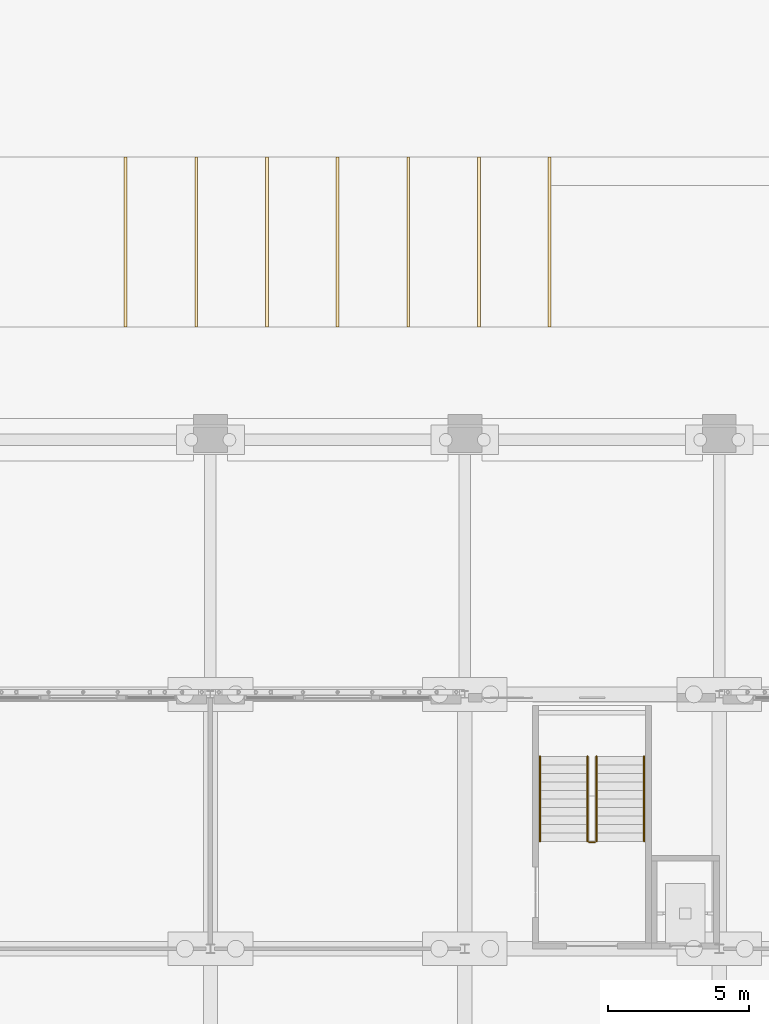
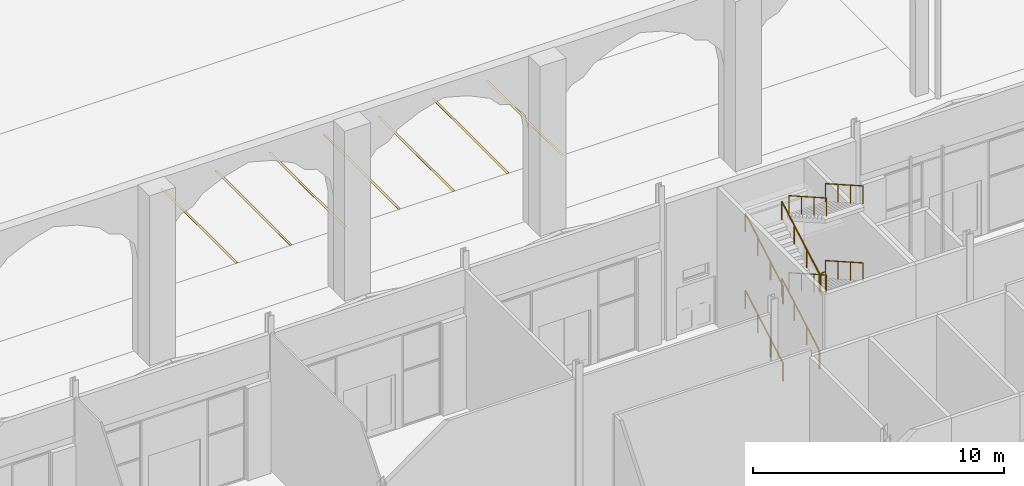
# One storey, part 183 of 250: 9 railings, 7 coverings.
"""IFC4 building model written with IfcOpenShell, lengths in metres."""

from ifc_helpers import new_model, si_unit, direction, frame, origin, origin_2d, place, context, subcontext, project, spatial, polyline, circle, outline, extrude, material, layer, layer_set, type_object, element, save


model = new_model("IFC4")

# Units and contexts
model_context = context("Model", 3, precision=1e-05, world=origin(), true_north=direction((0.0, 1.0)))
body_context = subcontext(model_context, "Body", "Model", "MODEL_VIEW")
ifc_project = project(units=[si_unit("LENGTHUNIT", "METRE"), si_unit("AREAUNIT", "SQUARE_METRE"), si_unit("VOLUMEUNIT", "CUBIC_METRE"), si_unit("PLANEANGLEUNIT", "RADIAN"), si_unit("MASSUNIT", "GRAM", prefix="KILO")], contexts=[model_context])

# Site, building, storey
site_placement = place(None, origin())
site = spatial("IfcSite", under=ifc_project, at=site_placement, CompositionType="ELEMENT")
building_placement = place(site_placement, origin())
building = spatial("IfcBuilding", under=site, at=building_placement, Name="Baradari Gate Terminus", CompositionType="ELEMENT")
storey_placement = place(building_placement, origin())
storey = spatial("IfcBuildingStorey", under=building, at=storey_placement, Name="L00", CompositionType="ELEMENT", Elevation=0.0)

# Coverings
ifc_material_1 = material(Name="Road marking paint, white")
ifc_layer = layer(ifc_material_1, 0.0048828125)
ifc_layer_set = layer_set([ifc_layer], Name="Road marking paint, white")
covering_type = type_object("IfcCoveringType", Name="Bay line RM-1 5", PredefinedType="USERDEFINED", material=ifc_layer_set)
covering_1_placement = place(storey_placement, origin())
element("IfcCovering", 1, at=covering_1_placement, inside=storey, type_object=covering_type, Name="Bay line SD 1", ObjectType="ROAD MARKING", PredefinedType="USERDEFINED", context=body_context, shape_type="SweptSolid", body=[
    extrude(outline(polyline([(104.949951171875, 121.0), (105.050048828125, 121.0), (105.050048828125, 127.0), (104.949951171875, 127.0), (104.949951171875, 121.0)])), origin(), (0.0, 0.0, 1.0), 0.0048828125),
])
covering_2_placement = place(storey_placement, origin())
element("IfcCovering", 2, at=covering_2_placement, inside=storey, type_object=covering_type, Name="Bay line SD 2", ObjectType="ROAD MARKING", PredefinedType="USERDEFINED", context=body_context, shape_type="SweptSolid", body=[
    extrude(outline(polyline([(107.449951171875, 121.0), (107.550048828125, 121.0), (107.550048828125, 127.0), (107.449951171875, 127.0), (107.449951171875, 121.0)])), origin(), (0.0, 0.0, 1.0), 0.0048828125),
])
covering_3_placement = place(storey_placement, origin())
element("IfcCovering", 3, at=covering_3_placement, inside=storey, type_object=covering_type, Name="Bay line SD 3", ObjectType="ROAD MARKING", PredefinedType="USERDEFINED", context=body_context, shape_type="SweptSolid", body=[
    extrude(outline(polyline([(109.949951171875, 121.0), (110.050048828125, 121.0), (110.050048828125, 127.0), (109.949951171875, 127.0), (109.949951171875, 121.0)])), origin(), (0.0, 0.0, 1.0), 0.0048828125),
])
covering_4_placement = place(storey_placement, origin())
element("IfcCovering", 4, at=covering_4_placement, inside=storey, type_object=covering_type, Name="Bay line SD 4", ObjectType="ROAD MARKING", PredefinedType="USERDEFINED", context=body_context, shape_type="SweptSolid", body=[
    extrude(outline(polyline([(112.449951171875, 121.0), (112.550048828125, 121.0), (112.550048828125, 127.0), (112.449951171875, 127.0), (112.449951171875, 121.0)])), origin(), (0.0, 0.0, 1.0), 0.0048828125),
])
covering_5_placement = place(storey_placement, origin())
element("IfcCovering", 5, at=covering_5_placement, inside=storey, type_object=covering_type, Name="Bay line SD 5", ObjectType="ROAD MARKING", PredefinedType="USERDEFINED", context=body_context, shape_type="SweptSolid", body=[
    extrude(outline(polyline([(114.949951171875, 121.0), (115.050048828125, 121.0), (115.050048828125, 127.0), (114.949951171875, 127.0), (114.949951171875, 121.0)])), origin(), (0.0, 0.0, 1.0), 0.0048828125),
])
covering_6_placement = place(storey_placement, origin())
element("IfcCovering", 6, at=covering_6_placement, inside=storey, type_object=covering_type, Name="Bay line SD 6", ObjectType="ROAD MARKING", PredefinedType="USERDEFINED", context=body_context, shape_type="SweptSolid", body=[
    extrude(outline(polyline([(117.449951171875, 121.0), (117.550048828125, 121.0), (117.550048828125, 127.0), (117.449951171875, 127.0), (117.449951171875, 121.0)])), origin(), (0.0, 0.0, 1.0), 0.0048828125),
])
covering_7_placement = place(storey_placement, origin())
element("IfcCovering", 7, at=covering_7_placement, inside=storey, type_object=covering_type, Name="Bay line SD 7", ObjectType="ROAD MARKING", PredefinedType="USERDEFINED", context=body_context, shape_type="SweptSolid", body=[
    extrude(outline(polyline([(119.949951171875, 121.0), (120.050048828125, 121.0), (120.050048828125, 127.0), (119.949951171875, 127.0), (119.949951171875, 121.0)])), origin(), (0.0, 0.0, 1.0), 0.0048828125),
])

# Railings
ifc_material_2 = material(Name="Stainless steel 1.4301", Category="steel")
railing_type_1 = type_object("IfcRailingType", Name="Guard GR-1 1100", PredefinedType="GUARDRAIL", material=ifc_material_2)
railing_placement = place(storey_placement, frame((121.60009765625, 102.77001953125, 3.75)))
element("IfcRailing", 8, at=railing_placement, inside=storey, type_object=railing_type_1, Name="Landing guard ST-H2 L00", PredefinedType="GUARDRAIL", context=body_context, shape_type="SweptSolid", body=[
    extrude(circle(Radius=0.02392578125, at=origin_2d()), frame((0.0, 0.0, 1.076171875), z_axis=(-1.0, 0.0, 0.0), x_axis=(0.0, -1.0, 0.0)), (0.0, 0.0, 1.0), 0.2001953125),
    extrude(circle(Radius=0.02099609375, at=origin_2d()), origin(), (0.0, 0.0, 1.0), 1.052001953125),
    extrude(circle(Radius=0.02099609375, at=origin_2d()), frame((-0.2001953125, 0.0, 0.0)), (0.0, 0.0, 1.0), 1.052001953125),
])
ifc_material_3 = material(Name="Stainless steel 1.4301", Category="steel")
railing_type_2 = type_object("IfcRailingType", Name="Handrail HR-1 900", PredefinedType="HANDRAIL", material=ifc_material_3)
for number, where, name in (
    (9, (119.659912109375, 102.800048828125, 0.17041015625), "Handrail ST-H2 L00 flight 1"),
    (10, (121.340087890625, 102.800048828125, 0.17041015625), "Handrail ST-H2 L00 flight 1"),
):
    element("IfcRailing", number, at=place(storey_placement, frame(where)), inside=storey, type_object=railing_type_2, Name=name, PredefinedType="HANDRAIL", context=body_context, shape_type="SweptSolid", body=[
        extrude(circle(Radius=0.02392578125, at=origin_2d()), frame((0.0, 0.0, 0.8759765625), z_axis=(0.0, 0.869451031676, 0.494019132744), x_axis=(-1.0, 0.0, 0.0)), (0.0, 0.0, 1.0), 3.450439453125),
        extrude(circle(Radius=0.02099609375, at=origin_2d()), origin(), (0.0, 0.0, 1.0), 0.851806640625),
        extrude(circle(Radius=0.02099609375, at=origin_2d()), frame((0.0, 1.0, 0.568115234375)), (0.0, 0.0, 1.0), 0.851806640625),
        extrude(circle(Radius=0.02099609375, at=origin_2d()), frame((0.0, 2.0, 1.136474609375)), (0.0, 0.0, 1.0), 0.851806640625),
        extrude(circle(Radius=0.02099609375, at=origin_2d()), frame((0.0, 3.0, 1.70458984375)), (0.0, 0.0, 1.0), 0.851806640625),
    ])
for number, where, name in (
    (11, (121.659912109375, 105.800048828125, 2.04541015625), "Handrail ST-H2 L00 flight 2"),
    (12, (123.340087890625, 105.800048828125, 2.04541015625), "Handrail ST-H2 L00 flight 2"),
):
    element("IfcRailing", number, at=place(storey_placement, frame(where)), inside=storey, type_object=railing_type_2, Name=name, PredefinedType="HANDRAIL", context=body_context, shape_type="SweptSolid", body=[
        extrude(circle(Radius=0.02392578125, at=origin_2d()), frame((0.0, 0.0, 0.8759765625), z_axis=(0.0, -0.869451031676, 0.494019132744), x_axis=(1.0, 0.0, 0.0)), (0.0, 0.0, 1.0), 3.450439453125),
        extrude(circle(Radius=0.02099609375, at=origin_2d()), origin(), (0.0, 0.0, 1.0), 0.851806640625),
        extrude(circle(Radius=0.02099609375, at=origin_2d()), frame((0.0, -1.0, 0.568115234375)), (0.0, 0.0, 1.0), 0.851806640625),
        extrude(circle(Radius=0.02099609375, at=origin_2d()), frame((0.0, -2.0, 1.136474609375)), (0.0, 0.0, 1.0), 0.851806640625),
        extrude(circle(Radius=0.02099609375, at=origin_2d()), frame((0.0, -3.0, 1.70458984375)), (0.0, 0.0, 1.0), 0.851806640625),
    ])
for number, where, name in (
    (13, (119.659912109375, 102.800048828125, 3.92041015625), "Handrail ST-H2 L00 flight 3"),
    (14, (121.340087890625, 102.800048828125, 3.92041015625), "Handrail ST-H2 L00 flight 3"),
):
    element("IfcRailing", number, at=place(storey_placement, frame(where)), inside=storey, type_object=railing_type_2, Name=name, PredefinedType="HANDRAIL", context=body_context, shape_type="SweptSolid", body=[
        extrude(circle(Radius=0.02392578125, at=origin_2d()), frame((0.0, 0.0, 0.8759765625), z_axis=(0.0, 0.869451031676, 0.494019132744), x_axis=(-1.0, 0.0, 0.0)), (0.0, 0.0, 1.0), 3.450439453125),
        extrude(circle(Radius=0.02099609375, at=origin_2d()), origin(), (0.0, 0.0, 1.0), 0.851806640625),
        extrude(circle(Radius=0.02099609375, at=origin_2d()), frame((0.0, 1.0, 0.568115234375)), (0.0, 0.0, 1.0), 0.851806640625),
        extrude(circle(Radius=0.02099609375, at=origin_2d()), frame((0.0, 2.0, 1.136474609375)), (0.0, 0.0, 1.0), 0.851806640625),
        extrude(circle(Radius=0.02099609375, at=origin_2d()), frame((0.0, 3.0, 1.70458984375)), (0.0, 0.0, 1.0), 0.851806640625),
    ])
for number, where, name in (
    (15, (121.659912109375, 105.800048828125, 5.79541015625), "Handrail ST-H2 L00 flight 4"),
    (16, (123.340087890625, 105.800048828125, 5.79541015625), "Handrail ST-H2 L00 flight 4"),
):
    element("IfcRailing", number, at=place(storey_placement, frame(where)), inside=storey, type_object=railing_type_2, Name=name, PredefinedType="HANDRAIL", context=body_context, shape_type="SweptSolid", body=[
        extrude(circle(Radius=0.02392578125, at=origin_2d()), frame((0.0, 0.0, 0.8759765625), z_axis=(0.0, -0.869451031676, 0.494019132744), x_axis=(1.0, 0.0, 0.0)), (0.0, 0.0, 1.0), 3.450439453125),
        extrude(circle(Radius=0.02099609375, at=origin_2d()), origin(), (0.0, 0.0, 1.0), 0.851806640625),
        extrude(circle(Radius=0.02099609375, at=origin_2d()), frame((0.0, -1.0, 0.568115234375)), (0.0, 0.0, 1.0), 0.851806640625),
        extrude(circle(Radius=0.02099609375, at=origin_2d()), frame((0.0, -2.0, 1.136474609375)), (0.0, 0.0, 1.0), 0.851806640625),
        extrude(circle(Radius=0.02099609375, at=origin_2d()), frame((0.0, -3.0, 1.70458984375)), (0.0, 0.0, 1.0), 0.851806640625),
    ])

save(model, "model.ifc")
